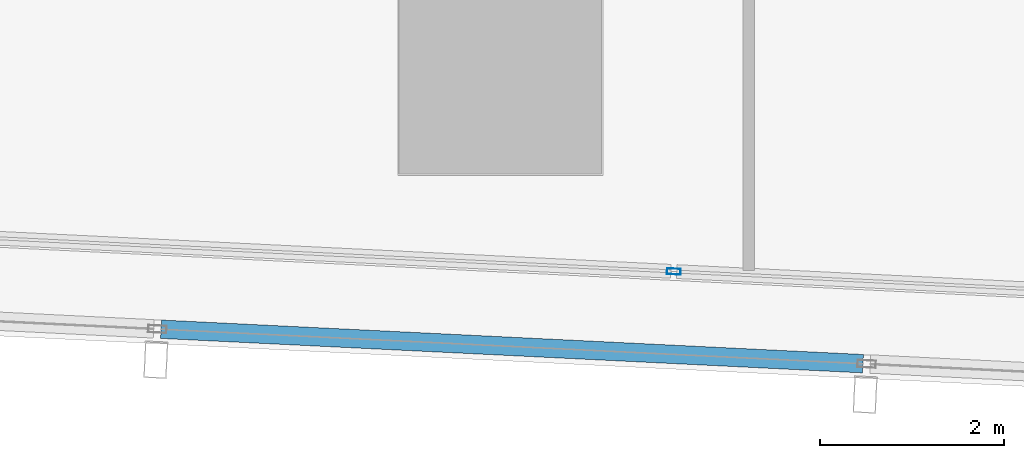
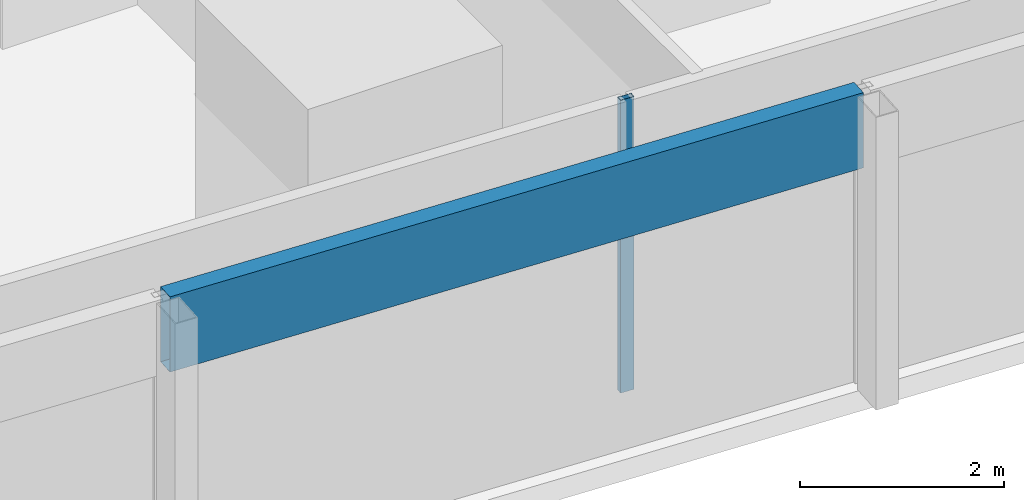
# One storey, part 6 of 44: 2 members, 2 elements without a shape of their own.
"""IFC4 building model written with IfcOpenShell, lengths in metres."""

from ifc_helpers import new_model, si_unit, direction, frame, origin, origin_2d, place, context, subcontext, project, spatial, hollow_rectangle, extrude, material, material_profile, profile_set, type_object, element, aggregate, save


model = new_model("IFC4")

# Units and contexts
model_context = context("Model", 3, precision=1e-05, world=origin(), true_north=direction((0.0, 1.0)))
body_context = subcontext(model_context, "Body", "Model", "MODEL_VIEW")
ifc_project = project(units=[si_unit("LENGTHUNIT", "METRE"), si_unit("AREAUNIT", "SQUARE_METRE"), si_unit("VOLUMEUNIT", "CUBIC_METRE"), si_unit("PLANEANGLEUNIT", "RADIAN"), si_unit("MASSUNIT", "GRAM", prefix="KILO")], contexts=[model_context])

# Site, building, storey
site_placement = place(None, origin())
site = spatial("IfcSite", under=ifc_project, at=site_placement, CompositionType="ELEMENT")
building_placement = place(site_placement, origin())
building = spatial("IfcBuilding", under=site, at=building_placement, Name="Rekha Terrace Tower", CompositionType="ELEMENT")
storey_placement = place(building_placement, frame((0.0, 0.0, 62.89990234375)))
storey = spatial("IfcBuildingStorey", under=building, at=storey_placement, Name="L15", CompositionType="ELEMENT", Elevation=62.89990234375)

# Curtain wall, member
ifc_material_1 = material(Name="Aluminium framing", Category="aluminium")
curtain_wall_type_1 = type_object("IfcCurtainWallType", Name="CW1 double skin inner glazing", PredefinedType="USERDEFINED", material=ifc_material_1)
curtain_wall_1_placement = place(storey_placement, origin())
curtain_wall_1 = element("IfcCurtainWall", 1, at=curtain_wall_1_placement, inside=storey, type_object=curtain_wall_type_1, Name="CW1 double skin inner glazing", ObjectType="DOUBLE SKIN INNER GLAZING", PredefinedType="USERDEFINED")
ifc_material_2 = material(Name="Aluminium mullion section", Category="aluminium")
ifc_material_profile_1 = material_profile(ifc_material_2, hollow_rectangle(XDim=0.06494140625, YDim=0.14990234375, WallThickness=0.00390625, at=origin_2d()), Name="AL RHS 65x150")
ifc_profile_set_1 = profile_set([ifc_material_profile_1], Name="Aluminium mullion section")
member_type_1 = type_object("IfcMemberType", Name="CW1 mullion RHS 65 x 150", PredefinedType="MULLION", material=ifc_profile_set_1)
member_1_placement = place(storey_placement, frame((35.48388671875, 6.24267578125, 0.0), z_axis=(0.0, 0.0, 1.0), x_axis=(0.049051717746, 0.998796239974, 0.0)))
member_1 = element("IfcMember", 2, at=member_1_placement, type_object=member_type_1, Name="CW1 mullion 3", PredefinedType="MULLION", context=body_context, shape_type="SweptSolid", body=[
    extrude(hollow_rectangle(XDim=0.06494140625, YDim=0.14990234375, WallThickness=0.00390625, at=origin_2d()), origin(), (0.0, 0.0, 1.0), 3.5),
])
aggregate(curtain_wall_1, [member_1])

curtain_wall_type_2 = type_object("IfcCurtainWallType", Name="CW2 double skin outer glazing", PredefinedType="USERDEFINED", material=ifc_material_1)
curtain_wall_2_placement = place(storey_placement, origin())
curtain_wall_2 = element("IfcCurtainWall", 3, at=curtain_wall_2_placement, inside=storey, type_object=curtain_wall_type_2, Name="CW2 double skin outer glazing", ObjectType="DOUBLE SKIN OUTER GLAZING", PredefinedType="USERDEFINED")
ifc_material_3 = material(Name="Insulated aluminium spandrel box", Category="aluminium")
ifc_material_profile_2 = material_profile(ifc_material_3, hollow_rectangle(XDim=0.199951171875, YDim=0.89990234375, WallThickness=0.0029296875, at=origin_2d()), Name="AL SPANDREL BOX 200x900")
ifc_profile_set_2 = profile_set([ifc_material_profile_2], Name="Insulated aluminium spandrel box")
member_type_2 = type_object("IfcMemberType", Name="CW2 spandrel transom 200 x 900", PredefinedType="USERDEFINED", material=ifc_profile_set_2)
member_2_placement = place(storey_placement, frame((29.91259765625, 5.615234375, 3.050048828125), z_axis=(0.998796434643, -0.049047753721, 0.0), x_axis=(0.049047753721, 0.998796434643, 0.0)))
member_2 = element("IfcMember", 4, at=member_2_placement, type_object=member_type_2, Name="CW2 spandrel transom 4", ObjectType="TRANSOM", PredefinedType="USERDEFINED", context=body_context, shape_type="SweptSolid", body=[
    extrude(hollow_rectangle(XDim=0.199951171875, YDim=0.89990234375, WallThickness=0.0029296875, at=origin_2d()), origin(), (0.0, 0.0, 1.0), 7.6357421875),
])
aggregate(curtain_wall_2, [member_2])

save(model, "model.ifc")
